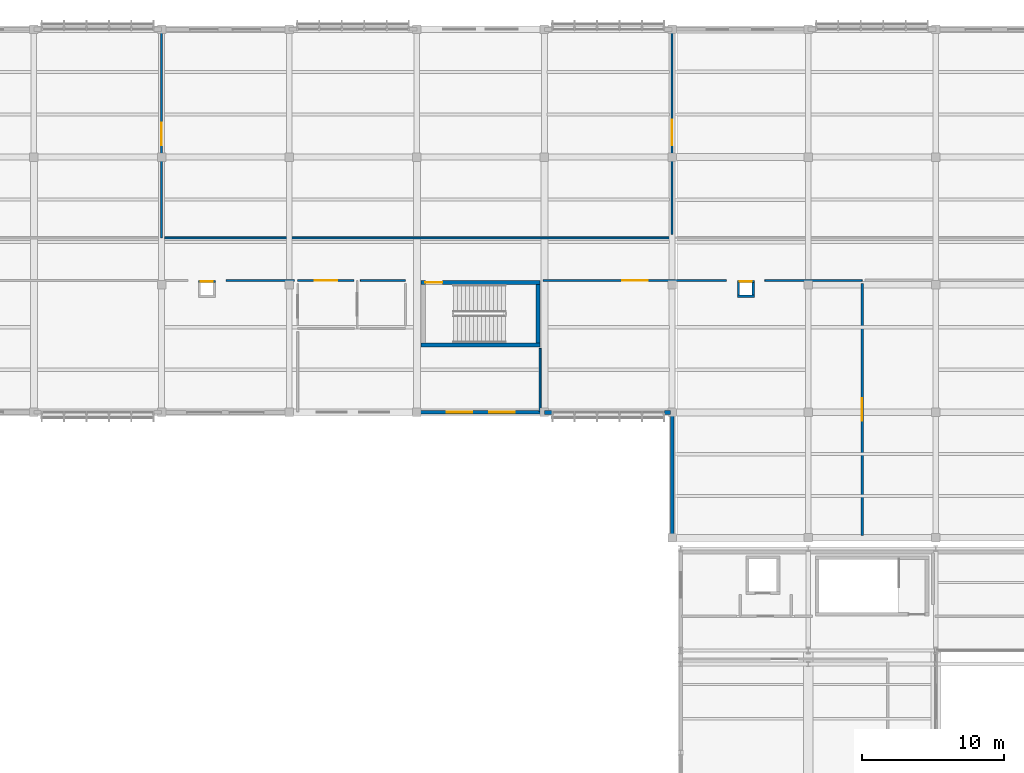
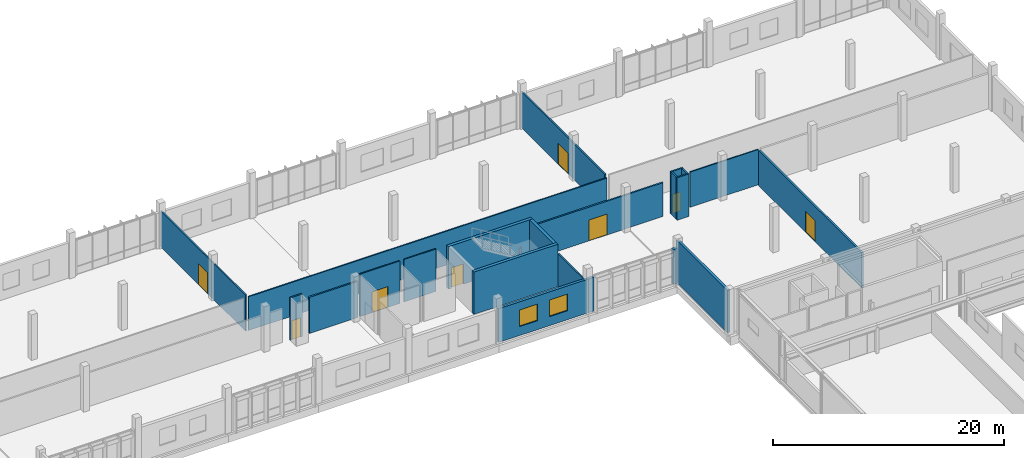
# One storey, part 156 of 177: 22 walls, 8 doors, 2 windows, 10 openings.
"""IFC4 building model written with IfcOpenShell, lengths in metres."""

from ifc_helpers import new_model, si_unit, direction, frame, frame_2d, origin, place, context, subcontext, project, spatial, rectangle, extrude, material, layer, layer_set, type_object, element, fill, save


model = new_model("IFC4")

# Units and contexts
model_context = context("Model", 3, precision=1e-05, world=origin(), true_north=direction((0.0, 1.0)))
body_context = subcontext(model_context, "Body", "Model", "MODEL_VIEW")
ifc_project = project(units=[si_unit("LENGTHUNIT", "METRE"), si_unit("AREAUNIT", "SQUARE_METRE"), si_unit("VOLUMEUNIT", "CUBIC_METRE"), si_unit("PLANEANGLEUNIT", "RADIAN"), si_unit("MASSUNIT", "GRAM", prefix="KILO")], contexts=[model_context])

# Site, building, storey
site_placement = place(None, origin())
site = spatial("IfcSite", under=ifc_project, at=site_placement, CompositionType="ELEMENT")
building_placement = place(site_placement, origin())
building = spatial("IfcBuilding", under=site, at=building_placement, Name="Chiffa Square Polytechnic", CompositionType="ELEMENT")
storey_placement = place(building_placement, frame((0.0, 0.0, 4.800048828125)))
storey = spatial("IfcBuildingStorey", under=building, at=storey_placement, Name="L01", CompositionType="ELEMENT", Elevation=4.800048828125)

# Wall
ifc_material_1 = material(Name="Concrete C40/50", Category="concrete")
ifc_layer_1 = layer(ifc_material_1, 0.300048828125, Name="Concrete C40/50")
ifc_layer_set_1 = layer_set([ifc_layer_1], Name="Concrete C40/50")
wall_type_1 = type_object("IfcWallType", Name="WL-CORE-300", PredefinedType="SHEAR", material=ifc_layer_set_1)
wall_1_placement = place(storey_placement, frame((93.89990234375, 108.550048828125, 0.0), z_axis=(0.0, 0.0, 1.0), x_axis=(1.0, 0.0, 0.0)))
element("IfcWall", 1, at=wall_1_placement, inside=storey, type_object=wall_type_1, Name="Core or enclosure wall WC-CORE-V5B-L01-SOUTH", PredefinedType="SHEAR", context=body_context, shape_type="SweptSolid", body=[
    extrude(rectangle(XDim=8.400146484375, YDim=0.300048828125, at=frame_2d((4.2001953125, 0.0))), origin(), (0.0, 0.0, 1.0), 4.47998046875),
])

# Wall, opening, door
wall_2_placement = place(storey_placement, frame((93.89990234375, 112.949951171875, 0.0), z_axis=(0.0, 0.0, 1.0), x_axis=(1.0, 0.0, 0.0)))
wall_2 = element("IfcWall", 2, at=wall_2_placement, inside=storey, type_object=wall_type_1, Name="Core or enclosure wall WC-CORE-V5B-L01-NORTH", PredefinedType="SHEAR", context=body_context, shape_type="SweptSolid", body=[
    extrude(rectangle(XDim=8.400146484375, YDim=0.300048828125, at=frame_2d((4.2001953125, 0.0))), origin(), (0.0, 0.0, 1.0), 4.47998046875),
])
opening_1_placement = place(wall_2_placement, frame((0.300048828125, 0.0, 0.0)))
opening_1 = element("IfcOpeningElement", 3, at=opening_1_placement, cuts=wall_2, Name="Opening DS-L01-039", PredefinedType="OPENING", context=body_context, shape_type="SweptSolid", body=[
    extrude(rectangle(XDim=1.199951171875, YDim=2.14990234375, at=frame_2d((0.60009765625, 1.074951171875))), frame((0.0, 0.16015625, 0.0), z_axis=(0.0, -1.0, 0.0), x_axis=(1.0, 0.0, 0.0)), (0.0, 0.0, 1.0), 0.320068359375),
])
ifc_material_2 = material(Name="Fire-rated painted steel leaf", Category="steel")
door_type_1 = type_object("IfcDoorType", Name="DR-STAIR-1200", OperationType="NOTDEFINED", PredefinedType="DOOR", material=ifc_material_2)
door_1_placement = place(opening_1_placement, origin())
door_1 = element("IfcDoor", 4, at=door_1_placement, inside=storey, type_object=door_type_1, Name="Enclosure door DS-L01-039", OperationType="SINGLE_SWING_LEFT", OverallHeight=2.14990234375, OverallWidth=1.199951171875, PredefinedType="DOOR", context=body_context, shape_type="SweptSolid", body=[
    extrude(rectangle(XDim=1.199951171875, YDim=2.14990234375, at=frame_2d((0.60009765625, 1.074951171875))), frame((0.0, 0.02490234375, 0.0), z_axis=(0.0, -1.0, 0.0), x_axis=(1.0, 0.0, 0.0)), (0.0, 0.0, 1.0), 0.050048828125),
])
fill(opening_1, door_1)

# Wall
wall_3_placement = place(storey_placement, frame((102.14990234375, 108.699951171875, 0.0), z_axis=(0.0, 0.0, 1.0), x_axis=(0.0, 1.0, 0.0)))
element("IfcWall", 5, at=wall_3_placement, inside=storey, type_object=wall_type_1, Name="Core or enclosure wall WC-CORE-V5B-L01-EAST", PredefinedType="SHEAR", context=body_context, shape_type="SweptSolid", body=[
    extrude(rectangle(XDim=4.10009765625, YDim=0.300048828125, at=frame_2d((2.050048828125, 0.0))), origin(), (0.0, 0.0, 1.0), 4.47998046875),
])

# Wall, openings, windows
ifc_material_3 = material(Name="Precast concrete C40/50", Category="concrete")
ifc_layer_2 = layer(ifc_material_3, 0.260009765625, Name="Precast concrete C40/50")
ifc_layer_set_2 = layer_set([ifc_layer_2], Name="Precast concrete C40/50")
wall_type_2 = type_object("IfcWallType", Name="WL-EXT-PC260", PredefinedType="SOLIDWALL", material=ifc_layer_set_2)
wall_4_placement = place(storey_placement, frame((93.60009765625, 103.800048828125, 0.0), z_axis=(0.0, 0.0, 1.0), x_axis=(1.0, 0.0, 0.0)))
wall_4 = element("IfcWall", 6, at=wall_4_placement, inside=storey, type_object=wall_type_2, Name="Exterior wall WE-V5-L01-0264", PredefinedType="SOLIDWALL", context=body_context, shape_type="SweptSolid", body=[
    extrude(rectangle(XDim=9.0, YDim=0.260009765625, at=frame_2d((4.5, 0.0))), origin(), (0.0, 0.0, 1.0), 3.56494140625),
])
opening_2_placement = place(wall_4_placement, frame((2.10009765625, 0.0, 0.949951171875)))
opening_2 = element("IfcOpeningElement", 7, at=opening_2_placement, cuts=wall_4, Name="Opening W-05", PredefinedType="OPENING", context=body_context, shape_type="SweptSolid", body=[
    extrude(rectangle(XDim=1.800048828125, YDim=1.75, at=frame_2d((0.89990234375, 0.875))), frame((0.0, 0.14013671875, 0.0), z_axis=(0.0, -1.0, 0.0), x_axis=(1.0, 0.0, 0.0)), (0.0, 0.0, 1.0), 0.280029296875),
])
opening_3_placement = place(wall_4_placement, frame((5.10009765625, 0.0, 0.949951171875)))
opening_3 = element("IfcOpeningElement", 8, at=opening_3_placement, cuts=wall_4, Name="Opening W-05", PredefinedType="OPENING", context=body_context, shape_type="SweptSolid", body=[
    extrude(rectangle(XDim=1.800048828125, YDim=1.75, at=frame_2d((0.89990234375, 0.875))), frame((0.0, 0.14013671875, 0.0), z_axis=(0.0, -1.0, 0.0), x_axis=(1.0, 0.0, 0.0)), (0.0, 0.0, 1.0), 0.280029296875),
])
ifc_material_4 = material(Name="Double glazing in thermally broken aluminium frame", Category="aluminium")
window_type = type_object("IfcWindowType", Name="WIN-LAB-1800X1750", PartitioningType="DOUBLE_PANEL_VERTICAL", PredefinedType="WINDOW", material=ifc_material_4)
window_1_placement = place(opening_2_placement, origin())
window_1 = element("IfcWindow", 9, at=window_1_placement, inside=storey, type_object=window_type, Name="Facade window WN-L01-0158", OverallHeight=1.75, OverallWidth=1.800048828125, PartitioningType="DOUBLE_PANEL_VERTICAL", PredefinedType="WINDOW", context=body_context, shape_type="SweptSolid", body=[
    extrude(rectangle(XDim=1.800048828125, YDim=1.75, at=frame_2d((0.89990234375, 0.875))), frame((0.0, 0.030029296875, 0.0), z_axis=(0.0, -1.0, 0.0), x_axis=(1.0, 0.0, 0.0)), (0.0, 0.0, 1.0), 0.06005859375),
])
fill(opening_2, window_1)
window_2_placement = place(opening_3_placement, origin())
window_2 = element("IfcWindow", 10, at=window_2_placement, inside=storey, type_object=window_type, Name="Facade window WN-L01-0159", OverallHeight=1.75, OverallWidth=1.800048828125, PartitioningType="DOUBLE_PANEL_VERTICAL", PredefinedType="WINDOW", context=body_context, shape_type="SweptSolid", body=[
    extrude(rectangle(XDim=1.800048828125, YDim=1.75, at=frame_2d((0.89990234375, 0.875))), frame((0.0, 0.030029296875, 0.0), z_axis=(0.0, -1.0, 0.0), x_axis=(1.0, 0.0, 0.0)), (0.0, 0.0, 1.0), 0.06005859375),
])
fill(opening_3, window_2)

# Walls
ifc_layer_3 = layer(ifc_material_3, 0.280029296875, Name="Precast concrete C40/50")
ifc_layer_set_3 = layer_set([ifc_layer_3], Name="Precast concrete C40/50")
wall_type_3 = type_object("IfcWallType", Name="WL-EXT-PC280", PredefinedType="SOLIDWALL", material=ifc_layer_set_3)
wall_5_placement = place(storey_placement, frame((102.60009765625, 103.800048828125, 0.0), z_axis=(0.0, 0.0, 1.0), x_axis=(1.0, 0.0, 0.0)))
element("IfcWall", 11, at=wall_5_placement, inside=storey, type_object=wall_type_3, Name="Facade column pier V5-L01-0265L", PredefinedType="SOLIDWALL", context=body_context, shape_type="SweptSolid", body=[
    extrude(rectangle(XDim=0.539794921875, YDim=0.280029296875, at=frame_2d((0.27001953125, 0.0))), origin(), (0.0, 0.0, 1.0), 3.56494140625),
])
wall_6_placement = place(storey_placement, frame((111.06005859375, 103.800048828125, 0.0), z_axis=(0.0, 0.0, 1.0), x_axis=(1.0, 0.0, 0.0)))
element("IfcWall", 12, at=wall_6_placement, inside=storey, type_object=wall_type_3, Name="Facade column pier V5-L01-0265R", PredefinedType="SOLIDWALL", context=body_context, shape_type="SweptSolid", body=[
    extrude(rectangle(XDim=0.412841796875, YDim=0.280029296875, at=frame_2d((0.20654296875, 0.0))), origin(), (0.0, 0.0, 1.0), 3.71484375),
])
ifc_material_5 = material(Name="Gypsum board on steel stud", Category="steel")
ifc_layer_4 = layer(ifc_material_5, 0.125, Name="Gypsum board on steel stud")
ifc_layer_set_4 = layer_set([ifc_layer_4], Name="Gypsum board on steel stud")
wall_type_4 = type_object("IfcWallType", Name="WL-PART-125", PredefinedType="PARTITIONING", material=ifc_layer_set_4)
wall_7_placement = place(storey_placement, frame((118.14599609375, 113.10009765625, 0.0), z_axis=(0.0, 0.0, 1.0), x_axis=(1.0, 0.0, 0.0)))
element("IfcWall", 13, at=wall_7_placement, inside=storey, type_object=wall_type_4, Name="Interior partition WP-V5-L01-0329", PredefinedType="PARTITIONING", context=body_context, shape_type="SweptSolid", body=[
    extrude(rectangle(XDim=6.85400390625, YDim=0.125, at=frame_2d((3.427001953125, 0.0))), origin(), (0.0, 0.0, 1.0), 3.71484375),
])
wall_8_placement = place(storey_placement, frame((75.820068359375, 116.10009765625, 0.0), z_axis=(0.0, 0.0, 1.0), x_axis=(1.0, 0.0, 0.0)))
element("IfcWall", 14, at=wall_8_placement, inside=storey, type_object=wall_type_4, Name="Interior partition WP-V5-L01-0356", PredefinedType="PARTITIONING", context=body_context, shape_type="SweptSolid", body=[
    extrude(rectangle(XDim=35.780029296875, YDim=0.125, at=frame_2d((17.89013671875, 0.0))), origin(), (0.0, 0.0, 1.0), 3.56494140625),
])
ifc_layer_5 = layer(ifc_material_5, 0.135009765625, Name="Gypsum board on steel stud")
ifc_layer_set_5 = layer_set([ifc_layer_5], Name="Gypsum board on steel stud")
wall_type_5 = type_object("IfcWallType", Name="WL-PART-135", PredefinedType="PARTITIONING", material=ifc_layer_set_5)
wall_9_placement = place(storey_placement, frame((102.300048828125, 103.85498046875, 0.0), z_axis=(0.0, 0.0, 1.0), x_axis=(0.0, 1.0, 0.0)))
element("IfcWall", 15, at=wall_9_placement, inside=storey, type_object=wall_type_5, Name="Interior partition WP-V5-L01-0331", PredefinedType="PARTITIONING", context=body_context, shape_type="SweptSolid", body=[
    extrude(rectangle(XDim=4.455078125, YDim=0.135009765625, at=frame_2d((2.2275390625, 0.0))), origin(), (0.0, 0.0, 1.0), 3.56494140625),
])

# Wall, opening, door
wall_10_placement = place(storey_placement, frame((75.60009765625, 116.10009765625, 0.0), z_axis=(0.0, 0.0, 1.0), x_axis=(0.0, 1.0, 0.0)))
wall_10 = element("IfcWall", 16, at=wall_10_placement, inside=storey, type_object=wall_type_5, Name="Interior partition WP-V5-L01-0355", PredefinedType="PARTITIONING", context=body_context, shape_type="SweptSolid", body=[
    extrude(rectangle(XDim=14.64501953125, YDim=0.135009765625, at=frame_2d((7.322509765625, 0.0))), origin(), (0.0, 0.0, 1.0), 3.81494140625),
])
opening_4_placement = place(wall_10_placement, frame((6.52294921875, 0.0, 0.0)))
opening_4 = element("IfcOpeningElement", 17, at=opening_4_placement, cuts=wall_10, Name="Opening DI-L01-153", PredefinedType="OPENING", context=body_context, shape_type="SweptSolid", body=[
    extrude(rectangle(XDim=1.60009765625, YDim=2.199951171875, at=frame_2d((0.800048828125, 1.10009765625))), frame((0.0, 0.07763671875, 0.0), z_axis=(0.0, -1.0, 0.0), x_axis=(1.0, 0.0, 0.0)), (0.0, 0.0, 1.0), 0.155029296875),
])
ifc_material_6 = material(Name="Vision-panel timber laboratory door", Category="wood")
door_type_2 = type_object("IfcDoorType", Name="DR-LAB-DBL-1600", OperationType="DOUBLE_DOOR_SINGLE_SWING", PredefinedType="DOOR", material=ifc_material_6)
door_2_placement = place(opening_4_placement, origin())
door_2 = element("IfcDoor", 18, at=door_2_placement, inside=storey, type_object=door_type_2, Name="Interior room door DI-L01-153", OperationType="DOUBLE_DOOR_SINGLE_SWING", OverallHeight=2.199951171875, OverallWidth=1.60009765625, PredefinedType="DOOR", context=body_context, shape_type="SweptSolid", body=[
    extrude(rectangle(XDim=1.60009765625, YDim=2.199951171875, at=frame_2d((0.800048828125, 1.10009765625))), frame((0.0, 0.02490234375, 0.0), z_axis=(0.0, -1.0, 0.0), x_axis=(1.0, 0.0, 0.0)), (0.0, 0.0, 1.0), 0.050048828125),
])
fill(opening_4, door_2)

ifc_layer_6 = layer(ifc_material_5, 0.14501953125, Name="Gypsum board on steel stud")
ifc_layer_set_6 = layer_set([ifc_layer_6], Name="Gypsum board on steel stud")
wall_type_6 = type_object("IfcWallType", Name="WL-PART-145", PredefinedType="PARTITIONING", material=ifc_layer_set_6)
wall_11_placement = place(storey_placement, frame((111.60009765625, 116.320068359375, 0.0), z_axis=(0.0, 0.0, 1.0), x_axis=(0.0, 1.0, 0.0)))
wall_11 = element("IfcWall", 19, at=wall_11_placement, inside=storey, type_object=wall_type_6, Name="Interior partition WP-V5-L01-0357", PredefinedType="PARTITIONING", context=body_context, shape_type="SweptSolid", body=[
    extrude(rectangle(XDim=14.425048828125, YDim=0.14501953125, at=frame_2d((7.21240234375, 0.0))), origin(), (0.0, 0.0, 1.0), 3.81494140625),
])
opening_5_placement = place(wall_11_placement, frame((6.31298828125, 0.0, 0.0)))
opening_5 = element("IfcOpeningElement", 20, at=opening_5_placement, cuts=wall_11, Name="Opening DI-L01-154", PredefinedType="OPENING", context=body_context, shape_type="SweptSolid", body=[
    extrude(rectangle(XDim=1.800048828125, YDim=2.199951171875, at=frame_2d((0.89990234375, 1.10009765625))), frame((0.0, 0.08251953125, 0.0), z_axis=(0.0, -1.0, 0.0), x_axis=(1.0, 0.0, 0.0)), (0.0, 0.0, 1.0), 0.1650390625),
])
ifc_material_7 = material(Name="Solid oak fire door pair")
door_type_3 = type_object("IfcDoorType", Name="DR-CORR-DBL-1800", OperationType="DOUBLE_DOOR_SINGLE_SWING", PredefinedType="DOOR", material=ifc_material_7)
door_3_placement = place(opening_5_placement, origin())
door_3 = element("IfcDoor", 21, at=door_3_placement, inside=storey, type_object=door_type_3, Name="Interior room door DI-L01-154", OperationType="DOUBLE_DOOR_SINGLE_SWING", OverallHeight=2.199951171875, OverallWidth=1.800048828125, PredefinedType="DOOR", context=body_context, shape_type="SweptSolid", body=[
    extrude(rectangle(XDim=1.800048828125, YDim=2.199951171875, at=frame_2d((0.89990234375, 1.10009765625))), frame((0.0, 0.02490234375, 0.0), z_axis=(0.0, -1.0, 0.0), x_axis=(1.0, 0.0, 0.0)), (0.0, 0.0, 1.0), 0.050048828125),
])
fill(opening_5, door_3)

ifc_material_8 = material(Name="Gypsum board on acoustic steel stud", Category="steel")
ifc_layer_7 = layer(ifc_material_8, 0.159912109375, Name="Gypsum board on acoustic steel stud")
ifc_layer_set_7 = layer_set([ifc_layer_7], Name="Gypsum board on acoustic steel stud")
wall_type_7 = type_object("IfcWallType", Name="WL-PART-EI60-160", PredefinedType="PARTITIONING", material=ifc_layer_set_7)
wall_12_placement = place(storey_placement, frame((78.199951171875, 113.02001953125, 0.0), z_axis=(0.0, 0.0, 1.0), x_axis=(1.0, 0.0, 0.0)))
wall_12 = element("IfcWall", 22, at=wall_12_placement, inside=storey, type_object=wall_type_7, Name="Core or enclosure wall WP-RSR-V5-M-L01-NORTH", PredefinedType="PARTITIONING", context=body_context, shape_type="SweptSolid", body=[
    extrude(rectangle(XDim=1.199951171875, YDim=0.159912109375, at=frame_2d((0.60009765625, 0.0))), origin(), (0.0, 0.0, 1.0), 4.47998046875),
])
opening_6_placement = place(wall_12_placement, frame((0.175048828125, 0.0, 0.0)))
opening_6 = element("IfcOpeningElement", 23, at=opening_6_placement, cuts=wall_12, Name="Opening DI-L01-R09", PredefinedType="OPENING", context=body_context, shape_type="SweptSolid", body=[
    extrude(rectangle(XDim=0.85009765625, YDim=2.02001953125, at=frame_2d((0.425048828125, 1.010009765625))), frame((0.0, 0.08984375, 0.0), z_axis=(0.0, -1.0, 0.0), x_axis=(1.0, 0.0, 0.0)), (0.0, 0.0, 1.0), 0.179931640625),
])
ifc_material_9 = material(Name="Fire-rated steel riser access door", Category="steel")
door_type_4 = type_object("IfcDoorType", Name="DR-RISER-850", OperationType="NOTDEFINED", PredefinedType="DOOR", material=ifc_material_9)
door_4_placement = place(opening_6_placement, origin())
door_4 = element("IfcDoor", 24, at=door_4_placement, inside=storey, type_object=door_type_4, Name="Enclosure door DI-L01-R09", OperationType="SINGLE_SWING_LEFT", OverallHeight=2.02001953125, OverallWidth=0.85009765625, PredefinedType="DOOR", context=body_context, shape_type="SweptSolid", body=[
    extrude(rectangle(XDim=0.85009765625, YDim=2.02001953125, at=frame_2d((0.425048828125, 1.010009765625))), frame((0.0, 0.02490234375, 0.0), z_axis=(0.0, -1.0, 0.0), x_axis=(1.0, 0.0, 0.0)), (0.0, 0.0, 1.0), 0.050048828125),
])
fill(opening_6, door_4)

# Wall
wall_13_placement = place(storey_placement, frame((116.199951171875, 111.97998046875, 0.0), z_axis=(0.0, 0.0, 1.0), x_axis=(1.0, 0.0, 0.0)))
element("IfcWall", 25, at=wall_13_placement, inside=storey, type_object=wall_type_7, Name="Core or enclosure wall WP-RSR-V5-E-L01-SOUTH", PredefinedType="PARTITIONING", context=body_context, shape_type="SweptSolid", body=[
    extrude(rectangle(XDim=1.199951171875, YDim=0.159912109375, at=frame_2d((0.60009765625, 0.0))), origin(), (0.0, 0.0, 1.0), 4.47998046875),
])

# Wall, opening, door
wall_14_placement = place(storey_placement, frame((116.199951171875, 113.02001953125, 0.0), z_axis=(0.0, 0.0, 1.0), x_axis=(1.0, 0.0, 0.0)))
wall_14 = element("IfcWall", 26, at=wall_14_placement, inside=storey, type_object=wall_type_7, Name="Core or enclosure wall WP-RSR-V5-E-L01-NORTH", PredefinedType="PARTITIONING", context=body_context, shape_type="SweptSolid", body=[
    extrude(rectangle(XDim=1.199951171875, YDim=0.159912109375, at=frame_2d((0.60009765625, 0.0))), origin(), (0.0, 0.0, 1.0), 4.47998046875),
])
opening_7_placement = place(wall_14_placement, frame((0.175048828125, 0.0, 0.0)))
opening_7 = element("IfcOpeningElement", 27, at=opening_7_placement, cuts=wall_14, Name="Opening DI-L01-R15", PredefinedType="OPENING", context=body_context, shape_type="SweptSolid", body=[
    extrude(rectangle(XDim=0.85009765625, YDim=2.02001953125, at=frame_2d((0.425048828125, 1.010009765625))), frame((0.0, 0.08984375, 0.0), z_axis=(0.0, -1.0, 0.0), x_axis=(1.0, 0.0, 0.0)), (0.0, 0.0, 1.0), 0.179931640625),
])
door_5_placement = place(opening_7_placement, origin())
door_5 = element("IfcDoor", 28, at=door_5_placement, inside=storey, type_object=door_type_4, Name="Enclosure door DI-L01-R15", OperationType="SINGLE_SWING_LEFT", OverallHeight=2.02001953125, OverallWidth=0.85009765625, PredefinedType="DOOR", context=body_context, shape_type="SweptSolid", body=[
    extrude(rectangle(XDim=0.85009765625, YDim=2.02001953125, at=frame_2d((0.425048828125, 1.010009765625))), frame((0.0, 0.02490234375, 0.0), z_axis=(0.0, -1.0, 0.0), x_axis=(1.0, 0.0, 0.0)), (0.0, 0.0, 1.0), 0.050048828125),
])
fill(opening_7, door_5)

# Walls
for number, where, z_axis, x_axis, name in (
    (29, (116.280029296875, 112.06005859375, 0.0), (0.0, 0.0, 1.0), (0.0, 1.0, 0.0), "Core or enclosure wall WP-RSR-V5-E-L01-WEST"),
    (30, (117.320068359375, 112.06005859375, 0.0), (0.0, 0.0, 1.0), (0.0, 1.0, 0.0), "Core or enclosure wall WP-RSR-V5-E-L01-EAST"),
):
    element("IfcWall", number, at=place(storey_placement, frame(where, z_axis=z_axis, x_axis=x_axis)), inside=storey, type_object=wall_type_7, Name=name, PredefinedType="PARTITIONING", context=body_context, shape_type="SweptSolid", body=[
        extrude(rectangle(XDim=0.8798828125, YDim=0.159912109375, at=frame_2d((0.43994140625, 0.0))), origin(), (0.0, 0.0, 1.0), 4.47998046875),
    ])

# Wall, opening, door
wall_15_placement = place(storey_placement, frame((102.487060546875, 113.10009765625, 0.0), z_axis=(0.0, 0.0, 1.0), x_axis=(1.0, 0.0, 0.0)))
wall_15 = element("IfcWall", 31, at=wall_15_placement, inside=storey, type_object=wall_type_7, Name="Interior partition WP-V5-L01-0328", PredefinedType="PARTITIONING", context=body_context, shape_type="SweptSolid", body=[
    extrude(rectangle(XDim=12.967041015625, YDim=0.159912109375, at=frame_2d((6.4833984375, 0.0))), origin(), (0.0, 0.0, 1.0), 3.56494140625),
])
opening_8_placement = place(wall_15_placement, frame((5.5830078125, 0.0, 0.0)))
opening_8 = element("IfcOpeningElement", 32, at=opening_8_placement, cuts=wall_15, Name="Opening DI-L01-146", PredefinedType="OPENING", context=body_context, shape_type="SweptSolid", body=[
    extrude(rectangle(XDim=1.800048828125, YDim=2.199951171875, at=frame_2d((0.89990234375, 1.10009765625))), frame((0.0, 0.08984375, 0.0), z_axis=(0.0, -1.0, 0.0), x_axis=(1.0, 0.0, 0.0)), (0.0, 0.0, 1.0), 0.179931640625),
])
door_6_placement = place(opening_8_placement, origin())
door_6 = element("IfcDoor", 33, at=door_6_placement, inside=storey, type_object=door_type_3, Name="Interior room door DI-L01-146", OperationType="DOUBLE_DOOR_SINGLE_SWING", OverallHeight=2.199951171875, OverallWidth=1.800048828125, PredefinedType="DOOR", context=body_context, shape_type="SweptSolid", body=[
    extrude(rectangle(XDim=1.800048828125, YDim=2.199951171875, at=frame_2d((0.89990234375, 1.10009765625))), frame((0.0, 0.02490234375, 0.0), z_axis=(0.0, -1.0, 0.0), x_axis=(1.0, 0.0, 0.0)), (0.0, 0.0, 1.0), 0.050048828125),
])
fill(opening_8, door_6)

# Wall
wall_16_placement = place(storey_placement, frame((80.14599609375, 113.10009765625, 0.0), z_axis=(0.0, 0.0, 1.0), x_axis=(1.0, 0.0, 0.0)))
element("IfcWall", 34, at=wall_16_placement, inside=storey, type_object=wall_type_7, Name="Interior partition WP-V5-L01-0339", PredefinedType="PARTITIONING", context=body_context, shape_type="SweptSolid", body=[
    extrude(rectangle(XDim=4.833984375, YDim=0.159912109375, at=frame_2d((2.4169921875, 0.0))), origin(), (0.0, 0.0, 1.0), 3.81494140625),
])

# Wall, opening, door
ifc_material_10 = material(Name="Gypsum board on twin steel stud", Category="steel")
ifc_layer_8 = layer(ifc_material_10, 0.18505859375, Name="Gypsum board on twin steel stud")
ifc_layer_set_8 = layer_set([ifc_layer_8], Name="Gypsum board on twin steel stud")
wall_type_8 = type_object("IfcWallType", Name="WL-PART-EI90-185", PredefinedType="PARTITIONING", material=ifc_layer_set_8)
wall_17_placement = place(storey_placement, frame((125.0, 95.10498046875, 0.0), z_axis=(0.0, 0.0, 1.0), x_axis=(0.0, 1.0, 0.0)))
wall_17 = element("IfcWall", 35, at=wall_17_placement, inside=storey, type_object=wall_type_8, Name="Interior partition WP-V5-L01-0330", PredefinedType="PARTITIONING", context=body_context, shape_type="SweptSolid", body=[
    extrude(rectangle(XDim=17.77490234375, YDim=0.18505859375, at=frame_2d((8.887451171875, 0.0))), origin(), (0.0, 0.0, 1.0), 3.71484375),
])
opening_9_placement = place(wall_17_placement, frame((8.0869140625, 0.0, 0.0)))
opening_9 = element("IfcOpeningElement", 36, at=opening_9_placement, cuts=wall_17, Name="Opening DI-L01-147", PredefinedType="OPENING", context=body_context, shape_type="SweptSolid", body=[
    extrude(rectangle(XDim=1.60009765625, YDim=2.199951171875, at=frame_2d((0.800048828125, 1.10009765625))), frame((0.0, 0.1025390625, 0.0), z_axis=(0.0, -1.0, 0.0), x_axis=(1.0, 0.0, 0.0)), (0.0, 0.0, 1.0), 0.205078125),
])
door_7_placement = place(opening_9_placement, origin())
door_7 = element("IfcDoor", 37, at=door_7_placement, inside=storey, type_object=door_type_2, Name="Interior room door DI-L01-147", OperationType="DOUBLE_DOOR_SINGLE_SWING", OverallHeight=2.199951171875, OverallWidth=1.60009765625, PredefinedType="DOOR", context=body_context, shape_type="SweptSolid", body=[
    extrude(rectangle(XDim=1.60009765625, YDim=2.199951171875, at=frame_2d((0.800048828125, 1.10009765625))), frame((0.0, 0.02490234375, 0.0), z_axis=(0.0, -1.0, 0.0), x_axis=(1.0, 0.0, 0.0)), (0.0, 0.0, 1.0), 0.050048828125),
])
fill(opening_9, door_7)

# Wall
ifc_material_11 = material(Name="Moisture-resistant board partition")
ifc_layer_9 = layer(ifc_material_11, 0.1201171875, Name="Moisture-resistant board partition")
ifc_layer_set_9 = layer_set([ifc_layer_9], Name="Moisture-resistant board partition")
wall_type_9 = type_object("IfcWallType", Name="WL-PART-WC-120", PredefinedType="PARTITIONING", material=ifc_layer_set_9)
wall_18_placement = place(storey_placement, frame((89.6201171875, 113.10009765625, 0.0), z_axis=(0.0, 0.0, 1.0), x_axis=(1.0, 0.0, 0.0)))
element("IfcWall", 38, at=wall_18_placement, inside=storey, type_object=wall_type_9, Name="Interior partition WP-V5-L01-0229", PredefinedType="PARTITIONING", context=body_context, shape_type="SweptSolid", body=[
    extrude(rectangle(XDim=3.179931640625, YDim=0.1201171875, at=frame_2d((1.58984375, 0.0))), origin(), (0.0, 0.0, 1.0), 4.47998046875),
])

# Wall, opening, door
wall_19_placement = place(storey_placement, frame((85.199951171875, 113.10009765625, 0.0), z_axis=(0.0, 0.0, 1.0), x_axis=(1.0, 0.0, 0.0)))
wall_19 = element("IfcWall", 39, at=wall_19_placement, inside=storey, type_object=wall_type_9, Name="Interior partition WP-V5-L01-0245", PredefinedType="PARTITIONING", context=body_context, shape_type="SweptSolid", body=[
    extrude(rectangle(XDim=3.97998046875, YDim=0.1201171875, at=frame_2d((1.989990234375, 0.0))), origin(), (0.0, 0.0, 1.0), 4.47998046875),
])
opening_10_placement = place(wall_19_placement, frame((1.18994140625, 0.0, 0.0)))
opening_10 = element("IfcOpeningElement", 40, at=opening_10_placement, cuts=wall_19, Name="Opening DI-L01-116", PredefinedType="OPENING", context=body_context, shape_type="SweptSolid", body=[
    extrude(rectangle(XDim=1.60009765625, YDim=2.199951171875, at=frame_2d((0.800048828125, 1.10009765625))), frame((0.0, 0.070068359375, 0.0), z_axis=(0.0, -1.0, 0.0), x_axis=(1.0, 0.0, 0.0)), (0.0, 0.0, 1.0), 0.14013671875),
])
door_8_placement = place(opening_10_placement, origin())
door_8 = element("IfcDoor", 41, at=door_8_placement, inside=storey, type_object=door_type_2, Name="Interior room door DI-L01-116", OperationType="DOUBLE_DOOR_SINGLE_SWING", OverallHeight=2.199951171875, OverallWidth=1.60009765625, PredefinedType="DOOR", context=body_context, shape_type="SweptSolid", body=[
    extrude(rectangle(XDim=1.60009765625, YDim=2.199951171875, at=frame_2d((0.800048828125, 1.10009765625))), frame((0.0, 0.02490234375, 0.0), z_axis=(0.0, -1.0, 0.0), x_axis=(1.0, 0.0, 0.0)), (0.0, 0.0, 1.0), 0.050048828125),
])
fill(opening_10, door_8)

# Wall
ifc_material_12 = material(Name="Concrete C35/45", Category="concrete")
ifc_layer_10 = layer(ifc_material_12, 0.25, Name="Concrete C35/45")
ifc_layer_set_10 = layer_set([ifc_layer_10], Name="Concrete C35/45")
wall_type_10 = type_object("IfcWallType", Name="WL-SJ-250", PredefinedType="SHEAR", material=ifc_layer_set_10)
wall_20_placement = place(storey_placement, frame((111.60009765625, 103.800048828125, 0.0), z_axis=(0.0, 0.0, 1.0), x_axis=(0.0, -1.0, 0.0)))
element("IfcWall", 42, at=wall_20_placement, inside=storey, type_object=wall_type_10, Name="Seismic-joint fire wall WE-V5-L01-0266", PredefinedType="SHEAR", context=body_context, shape_type="SweptSolid", body=[
    extrude(rectangle(XDim=8.75, YDim=0.25, at=frame_2d((4.375, 0.0))), origin(), (0.0, 0.0, 1.0), 4.47998046875),
])

save(model, "model.ifc")
